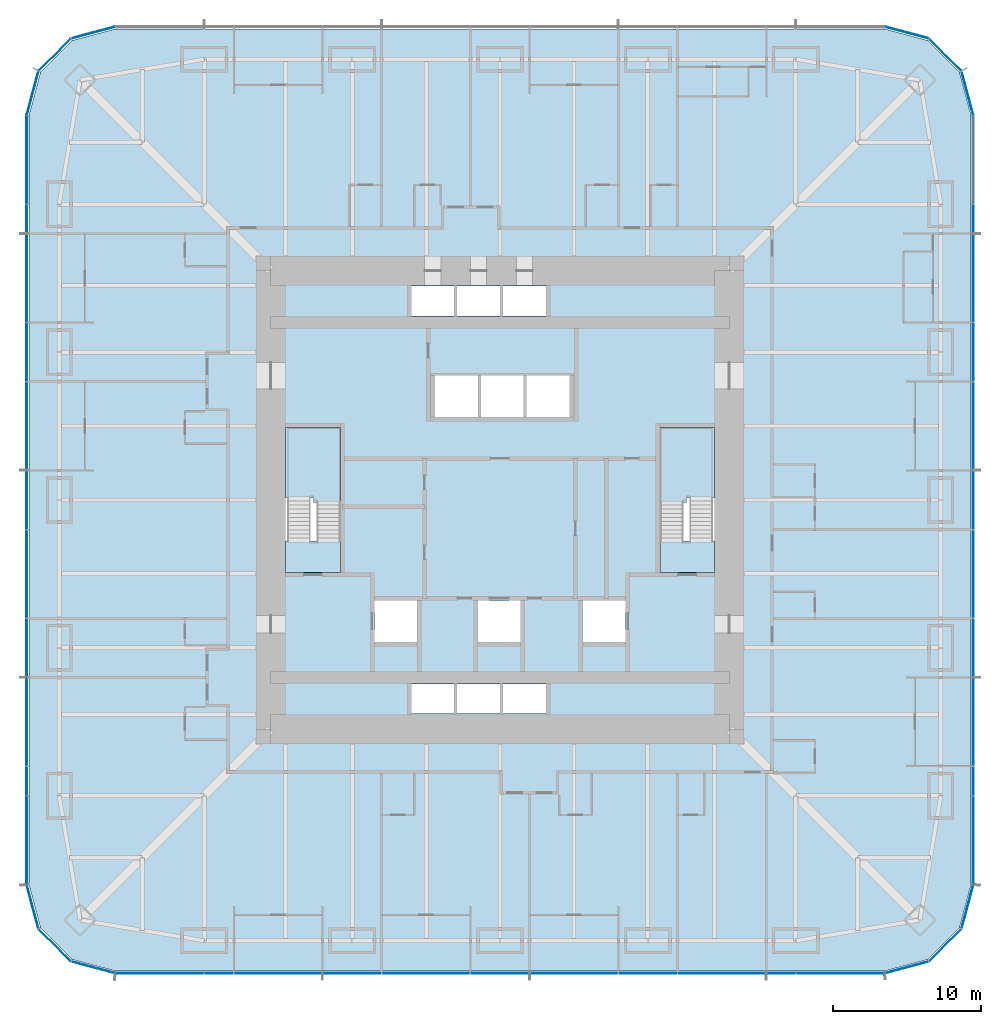
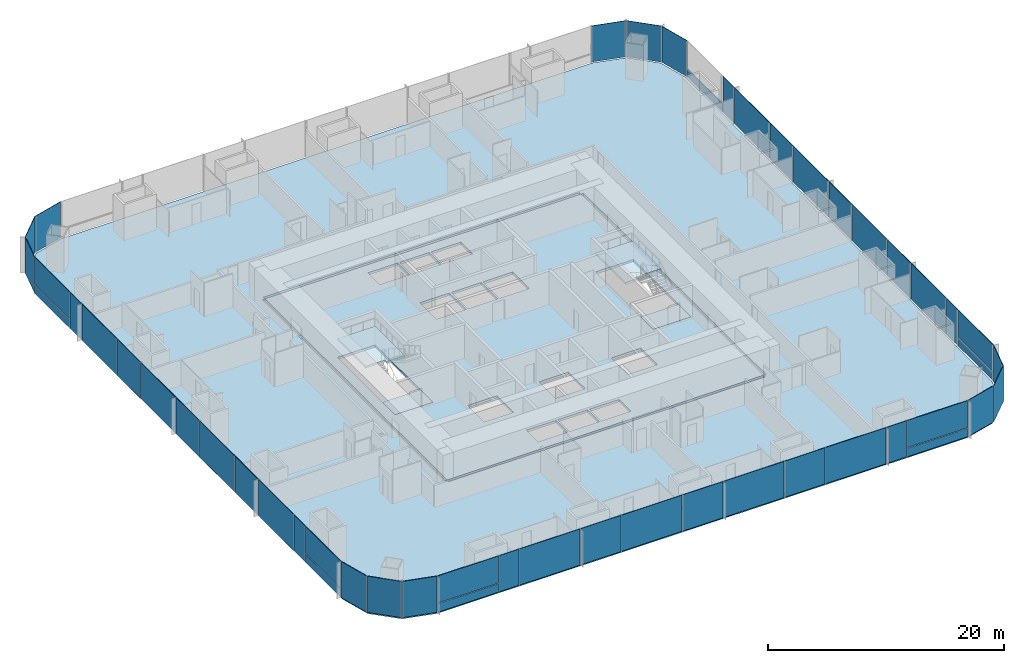
# One storey, part 13 of 20: 50 plates, 6 slabs, 9 elements without a shape of their own.
"""IFC4 building model written with IfcOpenShell, lengths in metres."""

from ifc_helpers import new_model, si_unit, direction, frame, origin, origin_2d, place, context, subcontext, project, spatial, polyline, rectangle, outline, extrude, material, layer, layer_set, type_object, element, aggregate, save


model = new_model("IFC4")

# Units and contexts
model_context = context("Model", 3, precision=1e-05, world=origin(), true_north=direction((0.0, 1.0)))
body_context = subcontext(model_context, "Body", "Model", "MODEL_VIEW")
ifc_project = project(units=[si_unit("LENGTHUNIT", "METRE"), si_unit("AREAUNIT", "SQUARE_METRE"), si_unit("VOLUMEUNIT", "CUBIC_METRE"), si_unit("PLANEANGLEUNIT", "RADIAN"), si_unit("MASSUNIT", "GRAM", prefix="KILO")], contexts=[model_context])

# Site, building, storey
site_placement = place(None, origin())
site = spatial("IfcSite", under=ifc_project, at=site_placement, CompositionType="ELEMENT")
building_placement = place(site_placement, origin())
building = spatial("IfcBuilding", under=site, at=building_placement, Name="Khuree Lantern Residences", CompositionType="ELEMENT")
storey_placement = place(building_placement, frame((0.0, 0.0, 28.5)))
storey = spatial("IfcBuildingStorey", under=building, at=storey_placement, Name="L06", CompositionType="ELEMENT", Elevation=28.5)

# Slab
ifc_material_1 = material(Name="Concrete C35/45", Category="concrete")
ifc_layer_1 = layer(ifc_material_1, 0.25)
ifc_layer_set_1 = layer_set([ifc_layer_1], Name="CFL250 CORE FLOOR SLAB 250")
slab_type_1 = type_object("IfcSlabType", Name="CFL250 CORE FLOOR SLAB 250", PredefinedType="FLOOR", material=ifc_layer_set_1)
slab_1_placement = place(storey_placement, frame((0.0, 0.0, -0.25)))
element("IfcSlab", 1, at=slab_1_placement, inside=storey, type_object=slab_type_1, Name="Core floor L06", PredefinedType="FLOOR", context=body_context, shape_type="SweptSolid", body=[
    extrude(outline(polyline([(-15.5, -15.5), (-15.5, 15.5), (15.5, 15.5), (15.5, -15.5), (-15.5, -15.5)]), holes=[polyline([(14.5, 4.89990234375), (10.800048828125, 4.89990234375), (10.800048828125, -4.89990234375), (14.5, -4.89990234375), (14.5, 4.89990234375)]), polyline([(8.5, -6.800048828125), (5.60009765625, -6.800048828125), (5.60009765625, -9.60009765625), (8.5, -9.60009765625), (8.5, -6.800048828125)]), polyline([(4.699951171875, 8.39990234375), (1.800048828125, 8.39990234375), (1.800048828125, 5.60009765625), (4.699951171875, 5.60009765625), (4.699951171875, 8.39990234375)]), polyline([(0.199951171875, -12.449951171875), (0.199951171875, -14.449951171875), (3.10009765625, -14.449951171875), (3.10009765625, -12.449951171875), (0.199951171875, -12.449951171875)]), polyline([(3.10009765625, 14.449951171875), (0.199951171875, 14.449951171875), (0.199951171875, 12.449951171875), (3.10009765625, 12.449951171875), (3.10009765625, 14.449951171875)]), polyline([(1.60009765625, 8.39990234375), (-1.300048828125, 8.39990234375), (-1.300048828125, 5.60009765625), (1.60009765625, 5.60009765625), (1.60009765625, 8.39990234375)]), polyline([(1.39990234375, -6.800048828125), (-1.5, -6.800048828125), (-1.5, -9.60009765625), (1.39990234375, -9.60009765625), (1.39990234375, -6.800048828125)]), polyline([(0.0, -12.449951171875), (-2.89990234375, -12.449951171875), (-2.89990234375, -14.449951171875), (0.0, -14.449951171875), (0.0, -12.449951171875)]), polyline([(0.0, 14.449951171875), (-2.89990234375, 14.449951171875), (-2.89990234375, 12.449951171875), (0.0, 12.449951171875), (0.0, 14.449951171875)]), polyline([(-1.5, 8.39990234375), (-4.39990234375, 8.39990234375), (-4.39990234375, 5.60009765625), (-1.5, 5.60009765625), (-1.5, 8.39990234375)]), polyline([(-6.0, -12.449951171875), (-6.0, -14.449951171875), (-3.10009765625, -14.449951171875), (-3.10009765625, -12.449951171875), (-6.0, -12.449951171875)]), polyline([(-3.10009765625, 14.449951171875), (-6.0, 14.449951171875), (-6.0, 12.449951171875), (-3.10009765625, 12.449951171875), (-3.10009765625, 14.449951171875)]), polyline([(-5.60009765625, -6.800048828125), (-8.5, -6.800048828125), (-8.5, -9.60009765625), (-5.60009765625, -9.60009765625), (-5.60009765625, -6.800048828125)]), polyline([(-10.800048828125, 4.89990234375), (-14.5, 4.89990234375), (-14.5, -4.89990234375), (-10.800048828125, -4.89990234375), (-10.800048828125, 4.89990234375)])]), origin(), (0.0, 0.0, 1.0), 0.25),
])

# Curtain wall, plates
ifc_material_2 = material(Name="Bronze anodised aluminium", Category="aluminium")
curtain_wall_type_1 = type_object("IfcCurtainWallType", Name="CW-T2 TOWER CORNER CURTAIN WALL", PredefinedType="USERDEFINED", material=ifc_material_2)
curtain_wall_1_placement = place(storey_placement, origin())
curtain_wall_1 = element("IfcCurtainWall", 2, at=curtain_wall_1_placement, inside=storey, type_object=curtain_wall_type_1, Name="L06 SOUTH-EAST CORNER CURTAIN WALL", ObjectType="Faceted corner curtain wall", PredefinedType="USERDEFINED")
ifc_material_3 = material(Name="Bronze tinted triple glazing", Category="glass")
ifc_layer_2 = layer(ifc_material_3, 0.048095703125)
ifc_layer_set_2 = layer_set([ifc_layer_2], Name="FACET PANEL P4")
plate_type_1 = type_object("IfcPlateType", Name="FACET PANEL P4", PredefinedType="CURTAIN_PANEL", material=ifc_layer_set_2)
plate_1_placement = place(storey_placement, frame((27.498046875, -31.5986328125, 0.0), z_axis=(0.0, 0.0, 1.0), x_axis=(0.965925792265, 0.258819172081, 0.0)))
plate_1 = element("IfcPlate", 3, at=plate_1_placement, type_object=plate_type_1, Name="L06 SOUTH-EAST CORNER PANEL 1.1", PredefinedType="CURTAIN_PANEL", context=body_context, shape_type="SweptSolid", body=[
    extrude(rectangle(XDim=3.02978515625, YDim=0.048095703125, at=origin_2d()), origin(), (0.0, 0.0, 1.0), 3.75),
])
plate_2_placement = place(storey_placement, frame((30.09814453125, -30.09814453125, 0.0), z_axis=(0.0, 0.0, 1.0), x_axis=(0.707106781187, 0.707106781187, 0.0)))
plate_2 = element("IfcPlate", 4, at=plate_2_placement, type_object=plate_type_1, Name="L06 SOUTH-EAST CORNER PANEL 2.1", PredefinedType="CURTAIN_PANEL", context=body_context, shape_type="SweptSolid", body=[
    extrude(rectangle(XDim=3.025634765625, YDim=0.048095703125, at=origin_2d()), origin(), (0.0, 0.0, 1.0), 3.75),
])
plate_3_placement = place(storey_placement, frame((31.5986328125, -27.498046875, 0.0), z_axis=(0.0, 0.0, 1.0), x_axis=(0.258819172081, 0.965925792265, 0.0)))
plate_3 = element("IfcPlate", 5, at=plate_3_placement, type_object=plate_type_1, Name="L06 SOUTH-EAST CORNER PANEL 3.1", PredefinedType="CURTAIN_PANEL", context=body_context, shape_type="SweptSolid", body=[
    extrude(rectangle(XDim=3.02978515625, YDim=0.048095703125, at=origin_2d()), origin(), (0.0, 0.0, 1.0), 3.75),
])
aggregate(curtain_wall_1, [plate_1, plate_2, plate_3])

curtain_wall_2_placement = place(storey_placement, origin())
curtain_wall_2 = element("IfcCurtainWall", 6, at=curtain_wall_2_placement, inside=storey, type_object=curtain_wall_type_1, Name="L06 NORTH-EAST CORNER CURTAIN WALL", ObjectType="Faceted corner curtain wall", PredefinedType="USERDEFINED")
plate_4_placement = place(storey_placement, frame((31.5986328125, 27.498046875, 0.0), z_axis=(0.0, 0.0, 1.0), x_axis=(-0.258819172081, 0.965925792265, 0.0)))
plate_4 = element("IfcPlate", 7, at=plate_4_placement, type_object=plate_type_1, Name="L06 NORTH-EAST CORNER PANEL 15.1", PredefinedType="CURTAIN_PANEL", context=body_context, shape_type="SweptSolid", body=[
    extrude(rectangle(XDim=3.02978515625, YDim=0.048095703125, at=origin_2d()), origin(), (0.0, 0.0, 1.0), 3.75),
])
plate_5_placement = place(storey_placement, frame((30.09814453125, 30.09814453125, 0.0), z_axis=(0.0, 0.0, 1.0), x_axis=(-0.707106781187, 0.707106781187, 0.0)))
plate_5 = element("IfcPlate", 8, at=plate_5_placement, type_object=plate_type_1, Name="L06 NORTH-EAST CORNER PANEL 16.1", PredefinedType="CURTAIN_PANEL", context=body_context, shape_type="SweptSolid", body=[
    extrude(rectangle(XDim=3.025634765625, YDim=0.048095703125, at=origin_2d()), origin(), (0.0, 0.0, 1.0), 3.75),
])
plate_6_placement = place(storey_placement, frame((27.498046875, 31.5986328125, 0.0), z_axis=(0.0, 0.0, 1.0), x_axis=(-0.965925792265, 0.258819172081, 0.0)))
plate_6 = element("IfcPlate", 9, at=plate_6_placement, type_object=plate_type_1, Name="L06 NORTH-EAST CORNER PANEL 17.1", PredefinedType="CURTAIN_PANEL", context=body_context, shape_type="SweptSolid", body=[
    extrude(rectangle(XDim=3.02978515625, YDim=0.048095703125, at=origin_2d()), origin(), (0.0, 0.0, 1.0), 3.75),
])
aggregate(curtain_wall_2, [plate_4, plate_5, plate_6])

curtain_wall_3_placement = place(storey_placement, origin())
curtain_wall_3 = element("IfcCurtainWall", 10, at=curtain_wall_3_placement, inside=storey, type_object=curtain_wall_type_1, Name="L06 NORTH-WEST CORNER CURTAIN WALL", ObjectType="Faceted corner curtain wall", PredefinedType="USERDEFINED")
plate_7_placement = place(storey_placement, frame((-27.498046875, 31.5986328125, 0.0), z_axis=(0.0, 0.0, 1.0), x_axis=(-0.965925792265, -0.258819172081, 0.0)))
plate_7 = element("IfcPlate", 11, at=plate_7_placement, type_object=plate_type_1, Name="L06 NORTH-WEST CORNER PANEL 29.1", PredefinedType="CURTAIN_PANEL", context=body_context, shape_type="SweptSolid", body=[
    extrude(rectangle(XDim=3.02978515625, YDim=0.048095703125, at=origin_2d()), origin(), (0.0, 0.0, 1.0), 3.75),
])
plate_8_placement = place(storey_placement, frame((-30.09814453125, 30.09814453125, 0.0), z_axis=(0.0, 0.0, 1.0), x_axis=(-0.707106781187, -0.707106781187, 0.0)))
plate_8 = element("IfcPlate", 12, at=plate_8_placement, type_object=plate_type_1, Name="L06 NORTH-WEST CORNER PANEL 30.1", PredefinedType="CURTAIN_PANEL", context=body_context, shape_type="SweptSolid", body=[
    extrude(rectangle(XDim=3.025634765625, YDim=0.048095703125, at=origin_2d()), origin(), (0.0, 0.0, 1.0), 3.75),
])
plate_9_placement = place(storey_placement, frame((-31.5986328125, 27.498046875, 0.0), z_axis=(0.0, 0.0, 1.0), x_axis=(-0.258819172081, -0.965925792265, 0.0)))
plate_9 = element("IfcPlate", 13, at=plate_9_placement, type_object=plate_type_1, Name="L06 NORTH-WEST CORNER PANEL 31.1", PredefinedType="CURTAIN_PANEL", context=body_context, shape_type="SweptSolid", body=[
    extrude(rectangle(XDim=3.02978515625, YDim=0.048095703125, at=origin_2d()), origin(), (0.0, 0.0, 1.0), 3.75),
])
aggregate(curtain_wall_3, [plate_7, plate_8, plate_9])

curtain_wall_4_placement = place(storey_placement, origin())
curtain_wall_4 = element("IfcCurtainWall", 14, at=curtain_wall_4_placement, inside=storey, type_object=curtain_wall_type_1, Name="L06 SOUTH-WEST CORNER CURTAIN WALL", ObjectType="Faceted corner curtain wall", PredefinedType="USERDEFINED")
plate_10_placement = place(storey_placement, frame((-31.5986328125, -27.498046875, 0.0), z_axis=(0.0, 0.0, 1.0), x_axis=(0.258819172081, -0.965925792265, 0.0)))
plate_10 = element("IfcPlate", 15, at=plate_10_placement, type_object=plate_type_1, Name="L06 SOUTH-WEST CORNER PANEL 43.1", PredefinedType="CURTAIN_PANEL", context=body_context, shape_type="SweptSolid", body=[
    extrude(rectangle(XDim=3.02978515625, YDim=0.048095703125, at=origin_2d()), origin(), (0.0, 0.0, 1.0), 3.75),
])
plate_11_placement = place(storey_placement, frame((-30.09814453125, -30.09814453125, 0.0), z_axis=(0.0, 0.0, 1.0), x_axis=(0.707106781187, -0.707106781187, 0.0)))
plate_11 = element("IfcPlate", 16, at=plate_11_placement, type_object=plate_type_1, Name="L06 SOUTH-WEST CORNER PANEL 44.1", PredefinedType="CURTAIN_PANEL", context=body_context, shape_type="SweptSolid", body=[
    extrude(rectangle(XDim=3.025634765625, YDim=0.048095703125, at=origin_2d()), origin(), (0.0, 0.0, 1.0), 3.75),
])
plate_12_placement = place(storey_placement, frame((-27.498046875, -31.5986328125, 0.0), z_axis=(0.0, 0.0, 1.0), x_axis=(0.965925792265, -0.258819172081, 0.0)))
plate_12 = element("IfcPlate", 17, at=plate_12_placement, type_object=plate_type_1, Name="L06 SOUTH-WEST CORNER PANEL 45.1", PredefinedType="CURTAIN_PANEL", context=body_context, shape_type="SweptSolid", body=[
    extrude(rectangle(XDim=3.02978515625, YDim=0.048095703125, at=origin_2d()), origin(), (0.0, 0.0, 1.0), 3.75),
])
aggregate(curtain_wall_4, [plate_10, plate_11, plate_12])

curtain_wall_type_2 = type_object("IfcCurtainWallType", Name="CW-T1 TOWER FACE CURTAIN WALL", PredefinedType="USERDEFINED", material=ifc_material_2)
curtain_wall_5_placement = place(storey_placement, origin())
curtain_wall_5 = element("IfcCurtainWall", 18, at=curtain_wall_5_placement, inside=storey, type_object=curtain_wall_type_2, Name="L06 EAST FACE CURTAIN WALL", ObjectType="Stick-built curtain wall", PredefinedType="USERDEFINED")
ifc_material_4 = material(Name="Bronze tinted triple glazing with a ceramic-fritted spandrel band", Category="glass")
ifc_layer_3 = layer(ifc_material_4, 0.048095703125)
ifc_layer_set_3 = layer_set([ifc_layer_3], Name="FIXED LIGHT PANEL P11")
plate_type_2 = type_object("IfcPlateType", Name="FIXED LIGHT PANEL P11", PredefinedType="CURTAIN_PANEL", material=ifc_layer_set_3)
plate_13_placement = place(storey_placement, frame((32.0, -15.0, 0.0), z_axis=(0.0, 0.0, 1.0), x_axis=(0.0, 1.0, 0.0)))
plate_13 = element("IfcPlate", 19, at=plate_13_placement, type_object=plate_type_2, Name="L06 EAST FACE PANEL 6.1", PredefinedType="CURTAIN_PANEL", context=body_context, shape_type="SweptSolid", body=[
    extrude(rectangle(XDim=5.93505859375, YDim=0.048095703125, at=origin_2d()), origin(), (0.0, 0.0, 1.0), 3.75),
])
plate_14_placement = place(storey_placement, frame((32.0, -5.0, 0.0), z_axis=(0.0, 0.0, 1.0), x_axis=(0.0, 1.0, 0.0)))
plate_14 = element("IfcPlate", 20, at=plate_14_placement, type_object=plate_type_2, Name="L06 EAST FACE PANEL 8.1", PredefinedType="CURTAIN_PANEL", context=body_context, shape_type="SweptSolid", body=[
    extrude(rectangle(XDim=5.93505859375, YDim=0.048095703125, at=origin_2d()), origin(), (0.0, 0.0, 1.0), 3.75),
])
plate_15_placement = place(storey_placement, frame((32.0, 5.0, 0.0), z_axis=(0.0, 0.0, 1.0), x_axis=(0.0, 1.0, 0.0)))
plate_15 = element("IfcPlate", 21, at=plate_15_placement, type_object=plate_type_2, Name="L06 EAST FACE PANEL 10.1", PredefinedType="CURTAIN_PANEL", context=body_context, shape_type="SweptSolid", body=[
    extrude(rectangle(XDim=5.93505859375, YDim=0.048095703125, at=origin_2d()), origin(), (0.0, 0.0, 1.0), 3.75),
])
plate_16_placement = place(storey_placement, frame((32.0, 15.0, 0.0), z_axis=(0.0, 0.0, 1.0), x_axis=(0.0, 1.0, 0.0)))
plate_16 = element("IfcPlate", 22, at=plate_16_placement, type_object=plate_type_2, Name="L06 EAST FACE PANEL 12.1", PredefinedType="CURTAIN_PANEL", context=body_context, shape_type="SweptSolid", body=[
    extrude(rectangle(XDim=5.93505859375, YDim=0.048095703125, at=origin_2d()), origin(), (0.0, 0.0, 1.0), 3.75),
])

curtain_wall_6_placement = place(storey_placement, origin())
curtain_wall_6 = element("IfcCurtainWall", 23, at=curtain_wall_6_placement, inside=storey, type_object=curtain_wall_type_2, Name="L06 WEST FACE CURTAIN WALL", ObjectType="Stick-built curtain wall", PredefinedType="USERDEFINED")
plate_17_placement = place(storey_placement, frame((-32.0, 15.0, 0.0), z_axis=(0.0, 0.0, 1.0), x_axis=(0.0, -1.0, 0.0)))
plate_17 = element("IfcPlate", 24, at=plate_17_placement, type_object=plate_type_2, Name="L06 WEST FACE PANEL 34.1", PredefinedType="CURTAIN_PANEL", context=body_context, shape_type="SweptSolid", body=[
    extrude(rectangle(XDim=5.93505859375, YDim=0.048095703125, at=origin_2d()), origin(), (0.0, 0.0, 1.0), 3.75),
])
plate_18_placement = place(storey_placement, frame((-32.0, 5.0, 0.0), z_axis=(0.0, 0.0, 1.0), x_axis=(0.0, -1.0, 0.0)))
plate_18 = element("IfcPlate", 25, at=plate_18_placement, type_object=plate_type_2, Name="L06 WEST FACE PANEL 36.1", PredefinedType="CURTAIN_PANEL", context=body_context, shape_type="SweptSolid", body=[
    extrude(rectangle(XDim=5.93505859375, YDim=0.048095703125, at=origin_2d()), origin(), (0.0, 0.0, 1.0), 3.75),
])
plate_19_placement = place(storey_placement, frame((-32.0, -5.0, 0.0), z_axis=(0.0, 0.0, 1.0), x_axis=(0.0, -1.0, 0.0)))
plate_19 = element("IfcPlate", 26, at=plate_19_placement, type_object=plate_type_2, Name="L06 WEST FACE PANEL 38.1", PredefinedType="CURTAIN_PANEL", context=body_context, shape_type="SweptSolid", body=[
    extrude(rectangle(XDim=5.93505859375, YDim=0.048095703125, at=origin_2d()), origin(), (0.0, 0.0, 1.0), 3.75),
])
plate_20_placement = place(storey_placement, frame((-32.0, -15.0, 0.0), z_axis=(0.0, 0.0, 1.0), x_axis=(0.0, -1.0, 0.0)))
plate_20 = element("IfcPlate", 27, at=plate_20_placement, type_object=plate_type_2, Name="L06 WEST FACE PANEL 40.1", PredefinedType="CURTAIN_PANEL", context=body_context, shape_type="SweptSolid", body=[
    extrude(rectangle(XDim=5.93505859375, YDim=0.048095703125, at=origin_2d()), origin(), (0.0, 0.0, 1.0), 3.75),
])

curtain_wall_7_placement = place(storey_placement, origin())
curtain_wall_7 = element("IfcCurtainWall", 28, at=curtain_wall_7_placement, inside=storey, type_object=curtain_wall_type_2, Name="L06 SOUTH FACE CURTAIN WALL", ObjectType="Stick-built curtain wall", PredefinedType="USERDEFINED")
plate_21_placement = place(storey_placement, frame((-15.0, -32.0, 0.0), z_axis=(0.0, 0.0, 1.0), x_axis=(1.0, 0.0, 0.0)))
plate_21 = element("IfcPlate", 29, at=plate_21_placement, type_object=plate_type_2, Name="L06 SOUTH FACE PANEL 48.1", PredefinedType="CURTAIN_PANEL", context=body_context, shape_type="SweptSolid", body=[
    extrude(rectangle(XDim=5.93505859375, YDim=0.048095703125, at=origin_2d()), origin(), (0.0, 0.0, 1.0), 3.75),
])
plate_22_placement = place(storey_placement, frame((-5.0, -32.0, 0.0), z_axis=(0.0, 0.0, 1.0), x_axis=(1.0, 0.0, 0.0)))
plate_22 = element("IfcPlate", 30, at=plate_22_placement, type_object=plate_type_2, Name="L06 SOUTH FACE PANEL 50.1", PredefinedType="CURTAIN_PANEL", context=body_context, shape_type="SweptSolid", body=[
    extrude(rectangle(XDim=5.93505859375, YDim=0.048095703125, at=origin_2d()), origin(), (0.0, 0.0, 1.0), 3.75),
])
plate_23_placement = place(storey_placement, frame((5.0, -32.0, 0.0), z_axis=(0.0, 0.0, 1.0), x_axis=(1.0, 0.0, 0.0)))
plate_23 = element("IfcPlate", 31, at=plate_23_placement, type_object=plate_type_2, Name="L06 SOUTH FACE PANEL 52.1", PredefinedType="CURTAIN_PANEL", context=body_context, shape_type="SweptSolid", body=[
    extrude(rectangle(XDim=5.93505859375, YDim=0.048095703125, at=origin_2d()), origin(), (0.0, 0.0, 1.0), 3.75),
])
plate_24_placement = place(storey_placement, frame((15.0, -32.0, 0.0), z_axis=(0.0, 0.0, 1.0), x_axis=(1.0, 0.0, 0.0)))
plate_24 = element("IfcPlate", 32, at=plate_24_placement, type_object=plate_type_2, Name="L06 SOUTH FACE PANEL 54.1", PredefinedType="CURTAIN_PANEL", context=body_context, shape_type="SweptSolid", body=[
    extrude(rectangle(XDim=5.93505859375, YDim=0.048095703125, at=origin_2d()), origin(), (0.0, 0.0, 1.0), 3.75),
])

# Slab
ifc_layer_4 = layer(ifc_material_1, 0.25)
ifc_layer_set_4 = layer_set([ifc_layer_4], Name="FS250 FLOOR SLAB 250")
slab_type_2 = type_object("IfcSlabType", Name="FS250 FLOOR SLAB 250", PredefinedType="FLOOR", material=ifc_layer_set_4)
slab_2_placement = place(storey_placement, frame((0.0, 0.0, -0.25)))
element("IfcSlab", 33, at=slab_2_placement, inside=storey, type_object=slab_type_2, Name="Floor slab L06", PredefinedType="FLOOR", context=body_context, shape_type="SweptSolid", body=[
    extrude(outline(polyline([(-28.925048828125, -31.066162109375), (-31.066162109375, -28.925048828125), (-31.85009765625, -26.0), (-31.85009765625, 26.0), (-31.066162109375, 28.925048828125), (-28.925048828125, 31.066162109375), (-26.0, 31.85009765625), (26.0, 31.85009765625), (28.925048828125, 31.066162109375), (31.066162109375, 28.925048828125), (31.85009765625, 26.0), (31.85009765625, -26.0), (31.066162109375, -28.925048828125), (28.925048828125, -31.066162109375), (26.0, -31.85009765625), (-26.0, -31.85009765625), (-28.925048828125, -31.066162109375)]), holes=[polyline([(15.75, 15.5), (15.5, 15.5), (15.5, 15.75), (-15.5, 15.75), (-15.5, 15.5), (-15.75, 15.5), (-15.75, -15.5), (-15.5, -15.5), (-15.5, -15.75), (15.5, -15.75), (15.5, -15.5), (15.75, -15.5), (15.75, 15.5)])]), origin(), (0.0, 0.0, 1.0), 0.25),
])

# Plate
ifc_material_5 = material(Name="Bronze tinted triple glazing, two aluminium-framed sashes in one frame", Category="aluminium")
ifc_layer_5 = layer(ifc_material_5, 0.048095703125)
ifc_layer_set_5 = layer_set([ifc_layer_5], Name="SASH PAIR PANEL P12")
plate_type_3 = type_object("IfcPlateType", Name="SASH PAIR PANEL P12", PredefinedType="CURTAIN_PANEL", material=ifc_layer_set_5)
plate_25_placement = place(storey_placement, frame((32.0, -10.0, 0.0), z_axis=(0.0, 0.0, 1.0), x_axis=(0.0, 1.0, 0.0)))
plate_25 = element("IfcPlate", 34, at=plate_25_placement, type_object=plate_type_3, Name="L06 EAST FACE PANEL 7.1", PredefinedType="CURTAIN_PANEL", context=body_context, shape_type="SweptSolid", body=[
    extrude(rectangle(XDim=3.93505859375, YDim=0.048095703125, at=origin_2d()), origin(), (0.0, 0.0, 1.0), 3.75),
])

plate_26_placement = place(storey_placement, frame((32.0, 0.0, 0.0), z_axis=(0.0, 0.0, 1.0), x_axis=(0.0, 1.0, 0.0)))
plate_26 = element("IfcPlate", 35, at=plate_26_placement, type_object=plate_type_3, Name="L06 EAST FACE PANEL 9.1", PredefinedType="CURTAIN_PANEL", context=body_context, shape_type="SweptSolid", body=[
    extrude(rectangle(XDim=3.93505859375, YDim=0.048095703125, at=origin_2d()), origin(), (0.0, 0.0, 1.0), 3.75),
])

plate_27_placement = place(storey_placement, frame((32.0, 10.0, 0.0), z_axis=(0.0, 0.0, 1.0), x_axis=(0.0, 1.0, 0.0)))
plate_27 = element("IfcPlate", 36, at=plate_27_placement, type_object=plate_type_3, Name="L06 EAST FACE PANEL 11.1", PredefinedType="CURTAIN_PANEL", context=body_context, shape_type="SweptSolid", body=[
    extrude(rectangle(XDim=3.93505859375, YDim=0.048095703125, at=origin_2d()), origin(), (0.0, 0.0, 1.0), 3.75),
])

plate_28_placement = place(storey_placement, frame((-32.0, 10.0, 0.0), z_axis=(0.0, 0.0, 1.0), x_axis=(0.0, -1.0, 0.0)))
plate_28 = element("IfcPlate", 37, at=plate_28_placement, type_object=plate_type_3, Name="L06 WEST FACE PANEL 35.1", PredefinedType="CURTAIN_PANEL", context=body_context, shape_type="SweptSolid", body=[
    extrude(rectangle(XDim=3.93505859375, YDim=0.048095703125, at=origin_2d()), origin(), (0.0, 0.0, 1.0), 3.75),
])

plate_29_placement = place(storey_placement, frame((-32.0, 0.0, 0.0), z_axis=(0.0, 0.0, 1.0), x_axis=(0.0, -1.0, 0.0)))
plate_29 = element("IfcPlate", 38, at=plate_29_placement, type_object=plate_type_3, Name="L06 WEST FACE PANEL 37.1", PredefinedType="CURTAIN_PANEL", context=body_context, shape_type="SweptSolid", body=[
    extrude(rectangle(XDim=3.93505859375, YDim=0.048095703125, at=origin_2d()), origin(), (0.0, 0.0, 1.0), 3.75),
])

plate_30_placement = place(storey_placement, frame((-32.0, -10.0, 0.0), z_axis=(0.0, 0.0, 1.0), x_axis=(0.0, -1.0, 0.0)))
plate_30 = element("IfcPlate", 39, at=plate_30_placement, type_object=plate_type_3, Name="L06 WEST FACE PANEL 39.1", PredefinedType="CURTAIN_PANEL", context=body_context, shape_type="SweptSolid", body=[
    extrude(rectangle(XDim=3.93505859375, YDim=0.048095703125, at=origin_2d()), origin(), (0.0, 0.0, 1.0), 3.75),
])

plate_31_placement = place(storey_placement, frame((-10.0, -32.0, 0.0), z_axis=(0.0, 0.0, 1.0), x_axis=(1.0, 0.0, 0.0)))
plate_31 = element("IfcPlate", 40, at=plate_31_placement, type_object=plate_type_3, Name="L06 SOUTH FACE PANEL 49.1", PredefinedType="CURTAIN_PANEL", context=body_context, shape_type="SweptSolid", body=[
    extrude(rectangle(XDim=3.93505859375, YDim=0.048095703125, at=origin_2d()), origin(), (0.0, 0.0, 1.0), 3.75),
])

plate_32_placement = place(storey_placement, frame((0.0, -32.0, 0.0), z_axis=(0.0, 0.0, 1.0), x_axis=(1.0, 0.0, 0.0)))
plate_32 = element("IfcPlate", 41, at=plate_32_placement, type_object=plate_type_3, Name="L06 SOUTH FACE PANEL 51.1", PredefinedType="CURTAIN_PANEL", context=body_context, shape_type="SweptSolid", body=[
    extrude(rectangle(XDim=3.93505859375, YDim=0.048095703125, at=origin_2d()), origin(), (0.0, 0.0, 1.0), 3.75),
])

plate_33_placement = place(storey_placement, frame((10.0, -32.0, 0.0), z_axis=(0.0, 0.0, 1.0), x_axis=(1.0, 0.0, 0.0)))
plate_33 = element("IfcPlate", 42, at=plate_33_placement, type_object=plate_type_3, Name="L06 SOUTH FACE PANEL 53.1", PredefinedType="CURTAIN_PANEL", context=body_context, shape_type="SweptSolid", body=[
    extrude(rectangle(XDim=3.93505859375, YDim=0.048095703125, at=origin_2d()), origin(), (0.0, 0.0, 1.0), 3.75),
])

ifc_material_6 = material(Name="Bronze tinted triple glazing, aluminium-framed sash", Category="aluminium")
ifc_layer_6 = layer(ifc_material_6, 0.048095703125)
ifc_layer_set_6 = layer_set([ifc_layer_6], Name="SASH PANEL P3")
plate_type_4 = type_object("IfcPlateType", Name="SASH PANEL P3", PredefinedType="CURTAIN_PANEL", material=ifc_layer_set_6)
plate_34_placement = place(storey_placement, frame((32.0, -19.0, 0.0), z_axis=(0.0, 0.0, 1.0), x_axis=(0.0, 1.0, 0.0)))
plate_34 = element("IfcPlate", 43, at=plate_34_placement, type_object=plate_type_4, Name="L06 EAST FACE PANEL 5.1", PredefinedType="CURTAIN_PANEL", context=body_context, shape_type="SweptSolid", body=[
    extrude(rectangle(XDim=1.93505859375, YDim=0.048095703125, at=origin_2d()), origin(), (0.0, 0.0, 1.0), 3.75),
])

plate_35_placement = place(storey_placement, frame((32.0, 19.0, 0.0), z_axis=(0.0, 0.0, 1.0), x_axis=(0.0, 1.0, 0.0)))
plate_35 = element("IfcPlate", 44, at=plate_35_placement, type_object=plate_type_4, Name="L06 EAST FACE PANEL 13.1", PredefinedType="CURTAIN_PANEL", context=body_context, shape_type="SweptSolid", body=[
    extrude(rectangle(XDim=1.93505859375, YDim=0.048095703125, at=origin_2d()), origin(), (0.0, 0.0, 1.0), 3.75),
])

plate_36_placement = place(storey_placement, frame((-32.0, 19.0, 0.0), z_axis=(0.0, 0.0, 1.0), x_axis=(0.0, -1.0, 0.0)))
plate_36 = element("IfcPlate", 45, at=plate_36_placement, type_object=plate_type_4, Name="L06 WEST FACE PANEL 33.1", PredefinedType="CURTAIN_PANEL", context=body_context, shape_type="SweptSolid", body=[
    extrude(rectangle(XDim=1.93505859375, YDim=0.048095703125, at=origin_2d()), origin(), (0.0, 0.0, 1.0), 3.75),
])

plate_37_placement = place(storey_placement, frame((-32.0, -19.0, 0.0), z_axis=(0.0, 0.0, 1.0), x_axis=(0.0, -1.0, 0.0)))
plate_37 = element("IfcPlate", 46, at=plate_37_placement, type_object=plate_type_4, Name="L06 WEST FACE PANEL 41.1", PredefinedType="CURTAIN_PANEL", context=body_context, shape_type="SweptSolid", body=[
    extrude(rectangle(XDim=1.93505859375, YDim=0.048095703125, at=origin_2d()), origin(), (0.0, 0.0, 1.0), 3.75),
])

plate_38_placement = place(storey_placement, frame((-19.0, -32.0, 0.0), z_axis=(0.0, 0.0, 1.0), x_axis=(1.0, 0.0, 0.0)))
plate_38 = element("IfcPlate", 47, at=plate_38_placement, type_object=plate_type_4, Name="L06 SOUTH FACE PANEL 47.1", PredefinedType="CURTAIN_PANEL", context=body_context, shape_type="SweptSolid", body=[
    extrude(rectangle(XDim=1.93505859375, YDim=0.048095703125, at=origin_2d()), origin(), (0.0, 0.0, 1.0), 3.75),
])

plate_39_placement = place(storey_placement, frame((19.0, -32.0, 0.0), z_axis=(0.0, 0.0, 1.0), x_axis=(1.0, 0.0, 0.0)))
plate_39 = element("IfcPlate", 48, at=plate_39_placement, type_object=plate_type_4, Name="L06 SOUTH FACE PANEL 55.1", PredefinedType="CURTAIN_PANEL", context=body_context, shape_type="SweptSolid", body=[
    extrude(rectangle(XDim=1.93505859375, YDim=0.048095703125, at=origin_2d()), origin(), (0.0, 0.0, 1.0), 3.75),
])

ifc_material_7 = material(Name="Bronze anodised aluminium insulated spandrel", Category="aluminium")
ifc_layer_7 = layer(ifc_material_7, 0.06005859375)
ifc_layer_set_7 = layer_set([ifc_layer_7], Name="SPANDREL PANEL P2")
plate_type_5 = type_object("IfcPlateType", Name="SPANDREL PANEL P2", PredefinedType="CURTAIN_PANEL", material=ifc_layer_set_7)
plate_40_placement = place(storey_placement, frame((32.0, -22.997802734375, 0.0), z_axis=(0.0, 0.0, 1.0), x_axis=(0.0, 1.0, 0.0)))
plate_40 = element("IfcPlate", 49, at=plate_40_placement, type_object=plate_type_5, Name="L06 EAST FACE PANEL 4.1", PredefinedType="CURTAIN_PANEL", context=body_context, shape_type="SweptSolid", body=[
    extrude(rectangle(XDim=5.9306640625, YDim=0.06005859375, at=origin_2d()), origin(), (0.0, 0.0, 1.0), 0.867431640625),
])

plate_41_placement = place(storey_placement, frame((32.0, 22.997802734375, 0.0), z_axis=(0.0, 0.0, 1.0), x_axis=(0.0, 1.0, 0.0)))
plate_41 = element("IfcPlate", 50, at=plate_41_placement, type_object=plate_type_5, Name="L06 EAST FACE PANEL 14.1", PredefinedType="CURTAIN_PANEL", context=body_context, shape_type="SweptSolid", body=[
    extrude(rectangle(XDim=5.9306640625, YDim=0.06005859375, at=origin_2d()), origin(), (0.0, 0.0, 1.0), 0.867431640625),
])

plate_42_placement = place(storey_placement, frame((-32.0, 22.997802734375, 0.0), z_axis=(0.0, 0.0, 1.0), x_axis=(0.0, -1.0, 0.0)))
plate_42 = element("IfcPlate", 51, at=plate_42_placement, type_object=plate_type_5, Name="L06 WEST FACE PANEL 32.1", PredefinedType="CURTAIN_PANEL", context=body_context, shape_type="SweptSolid", body=[
    extrude(rectangle(XDim=5.9306640625, YDim=0.06005859375, at=origin_2d()), origin(), (0.0, 0.0, 1.0), 0.867431640625),
])

plate_43_placement = place(storey_placement, frame((-32.0, -22.997802734375, 0.0), z_axis=(0.0, 0.0, 1.0), x_axis=(0.0, -1.0, 0.0)))
plate_43 = element("IfcPlate", 52, at=plate_43_placement, type_object=plate_type_5, Name="L06 WEST FACE PANEL 42.1", PredefinedType="CURTAIN_PANEL", context=body_context, shape_type="SweptSolid", body=[
    extrude(rectangle(XDim=5.9306640625, YDim=0.06005859375, at=origin_2d()), origin(), (0.0, 0.0, 1.0), 0.867431640625),
])

plate_44_placement = place(storey_placement, frame((-22.997802734375, -32.0, 0.0), z_axis=(0.0, 0.0, 1.0), x_axis=(1.0, 0.0, 0.0)))
plate_44 = element("IfcPlate", 53, at=plate_44_placement, type_object=plate_type_5, Name="L06 SOUTH FACE PANEL 46.1", PredefinedType="CURTAIN_PANEL", context=body_context, shape_type="SweptSolid", body=[
    extrude(rectangle(XDim=5.9306640625, YDim=0.06005859375, at=origin_2d()), origin(), (0.0, 0.0, 1.0), 0.867431640625),
])

plate_45_placement = place(storey_placement, frame((22.997802734375, -32.0, 0.0), z_axis=(0.0, 0.0, 1.0), x_axis=(1.0, 0.0, 0.0)))
plate_45 = element("IfcPlate", 54, at=plate_45_placement, type_object=plate_type_5, Name="L06 SOUTH FACE PANEL 56.1", PredefinedType="CURTAIN_PANEL", context=body_context, shape_type="SweptSolid", body=[
    extrude(rectangle(XDim=5.9306640625, YDim=0.06005859375, at=origin_2d()), origin(), (0.0, 0.0, 1.0), 0.867431640625),
])

# Stair, slabs
ifc_material_8 = material(Name="Concrete C40/50", Category="concrete")
stair_type = type_object("IfcStairType", Name="STAIR ST1 HALF TURN 3600", PredefinedType="HALF_TURN_STAIR", material=ifc_material_8)
stair_1_placement = place(storey_placement, origin())
stair_1 = element("IfcStair", 55, at=stair_1_placement, inside=storey, type_object=stair_type, Name="Stair ST1", PredefinedType="HALF_TURN_STAIR")
ifc_layer_8 = layer(ifc_material_8, 0.199951171875)
ifc_layer_set_8 = layer_set([ifc_layer_8], Name="STAIR LANDING SL1 200")
slab_type_3 = type_object("IfcSlabType", Name="STAIR LANDING SL1 200", PredefinedType="LANDING", material=ifc_layer_set_8)
slab_3_placement = place(storey_placement, frame((0.0, 0.0, -0.199951171875)))
slab_3 = element("IfcSlab", 56, at=slab_3_placement, type_object=slab_type_3, Name="ST1 landing 1", PredefinedType="LANDING", context=body_context, shape_type="SweptSolid", body=[
    extrude(outline(polyline([(-14.5, -4.89990234375), (-10.800048828125, -4.89990234375), (-10.800048828125, -2.760009765625), (-14.5, -2.760009765625), (-14.5, -4.89990234375)])), origin(), (0.0, 0.0, 1.0), 0.199951171875),
])
slab_4_placement = place(storey_placement, frame((0.0, 0.0, 1.756591796875)))
slab_4 = element("IfcSlab", 57, at=slab_4_placement, type_object=slab_type_3, Name="ST1 landing 2", PredefinedType="LANDING", context=body_context, shape_type="SweptSolid", body=[
    extrude(outline(polyline([(-14.5, 0.1201171875), (-14.5, 4.89990234375), (-10.800048828125, 4.89990234375), (-10.800048828125, -0.159912109375), (-12.60009765625, -0.159912109375), (-12.60009765625, 0.1201171875), (-14.5, 0.1201171875)])), origin(), (0.0, 0.0, 1.0), 0.199951171875),
])
aggregate(stair_1, [slab_3, slab_4])

stair_2_placement = place(storey_placement, origin())
stair_2 = element("IfcStair", 58, at=stair_2_placement, inside=storey, type_object=stair_type, Name="Stair ST2", PredefinedType="HALF_TURN_STAIR")
slab_5_placement = place(storey_placement, frame((0.0, 0.0, -0.199951171875)))
slab_5 = element("IfcSlab", 59, at=slab_5_placement, type_object=slab_type_3, Name="ST2 landing 1", PredefinedType="LANDING", context=body_context, shape_type="SweptSolid", body=[
    extrude(outline(polyline([(10.800048828125, -4.89990234375), (14.5, -4.89990234375), (14.5, -2.760009765625), (10.800048828125, -2.760009765625), (10.800048828125, -4.89990234375)])), origin(), (0.0, 0.0, 1.0), 0.199951171875),
])
slab_6_placement = place(storey_placement, frame((0.0, 0.0, 1.756591796875)))
slab_6 = element("IfcSlab", 60, at=slab_6_placement, type_object=slab_type_3, Name="ST2 landing 2", PredefinedType="LANDING", context=body_context, shape_type="SweptSolid", body=[
    extrude(outline(polyline([(14.5, 4.89990234375), (14.5, 0.1201171875), (12.60009765625, 0.1201171875), (12.60009765625, -0.159912109375), (10.800048828125, -0.159912109375), (10.800048828125, 4.89990234375), (14.5, 4.89990234375)])), origin(), (0.0, 0.0, 1.0), 0.199951171875),
])
aggregate(stair_2, [slab_5, slab_6])

# Plate
ifc_layer_9 = layer(ifc_material_3, 0.048095703125)
ifc_layer_set_9 = layer_set([ifc_layer_9], Name="VISION PANEL P1")
plate_type_6 = type_object("IfcPlateType", Name="VISION PANEL P1", PredefinedType="CURTAIN_PANEL", material=ifc_layer_set_9)
plate_46_placement = place(storey_placement, frame((32.0, -22.998291015625, 0.9326171875), z_axis=(0.0, 0.0, 1.0), x_axis=(0.0, 1.0, 0.0)))
plate_46 = element("IfcPlate", 61, at=plate_46_placement, type_object=plate_type_6, Name="L06 EAST FACE PANEL 4.2", PredefinedType="CURTAIN_PANEL", context=body_context, shape_type="SweptSolid", body=[
    extrude(rectangle(XDim=5.931640625, YDim=0.048095703125, at=origin_2d()), origin(), (0.0, 0.0, 1.0), 2.8173828125),
])

aggregate(curtain_wall_5, [plate_40, plate_46, plate_34, plate_13, plate_25, plate_14, plate_26, plate_15, plate_27, plate_16, plate_35, plate_41])

plate_47_placement = place(storey_placement, frame((-32.0, 22.998291015625, 0.9326171875), z_axis=(0.0, 0.0, 1.0), x_axis=(0.0, -1.0, 0.0)))
plate_47 = element("IfcPlate", 62, at=plate_47_placement, type_object=plate_type_6, Name="L06 WEST FACE PANEL 32.2", PredefinedType="CURTAIN_PANEL", context=body_context, shape_type="SweptSolid", body=[
    extrude(rectangle(XDim=5.931640625, YDim=0.048095703125, at=origin_2d()), origin(), (0.0, 0.0, 1.0), 2.8173828125),
])

plate_48_placement = place(storey_placement, frame((-32.0, -22.998291015625, 0.9326171875), z_axis=(0.0, 0.0, 1.0), x_axis=(0.0, -1.0, 0.0)))
plate_48 = element("IfcPlate", 63, at=plate_48_placement, type_object=plate_type_6, Name="L06 WEST FACE PANEL 42.2", PredefinedType="CURTAIN_PANEL", context=body_context, shape_type="SweptSolid", body=[
    extrude(rectangle(XDim=5.931640625, YDim=0.048095703125, at=origin_2d()), origin(), (0.0, 0.0, 1.0), 2.8173828125),
])

aggregate(curtain_wall_6, [plate_42, plate_47, plate_36, plate_17, plate_28, plate_18, plate_29, plate_19, plate_30, plate_20, plate_37, plate_43, plate_48])

plate_49_placement = place(storey_placement, frame((-22.998291015625, -32.0, 0.9326171875), z_axis=(0.0, 0.0, 1.0), x_axis=(1.0, 0.0, 0.0)))
plate_49 = element("IfcPlate", 64, at=plate_49_placement, type_object=plate_type_6, Name="L06 SOUTH FACE PANEL 46.2", PredefinedType="CURTAIN_PANEL", context=body_context, shape_type="SweptSolid", body=[
    extrude(rectangle(XDim=5.931640625, YDim=0.048095703125, at=origin_2d()), origin(), (0.0, 0.0, 1.0), 2.8173828125),
])

plate_50_placement = place(storey_placement, frame((22.998291015625, -32.0, 0.9326171875), z_axis=(0.0, 0.0, 1.0), x_axis=(1.0, 0.0, 0.0)))
plate_50 = element("IfcPlate", 65, at=plate_50_placement, type_object=plate_type_6, Name="L06 SOUTH FACE PANEL 56.2", PredefinedType="CURTAIN_PANEL", context=body_context, shape_type="SweptSolid", body=[
    extrude(rectangle(XDim=5.931640625, YDim=0.048095703125, at=origin_2d()), origin(), (0.0, 0.0, 1.0), 2.8173828125),
])

aggregate(curtain_wall_7, [plate_44, plate_49, plate_38, plate_21, plate_31, plate_22, plate_32, plate_23, plate_33, plate_24, plate_39, plate_45, plate_50])

save(model, "model.ifc")
